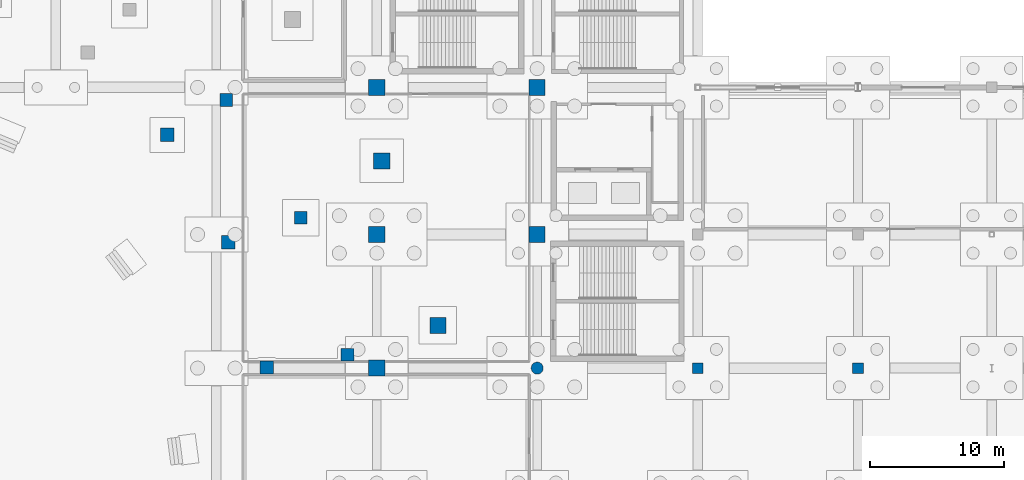
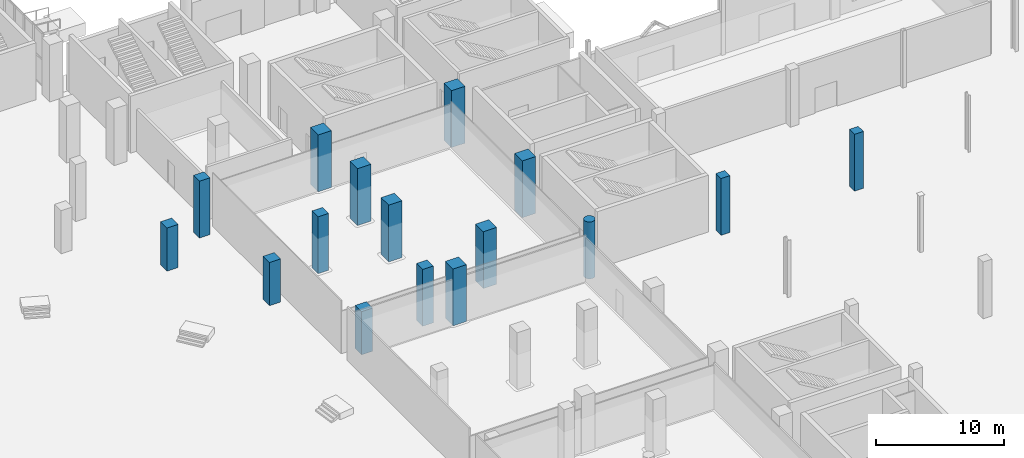
# One storey, part 26 of 70: 16 columns.
"""IFC4 building model written with IfcOpenShell, lengths in metres."""

from ifc_helpers import new_model, si_unit, direction, frame, origin, origin_2d, place, context, subcontext, project, spatial, rectangle, circle, extrude, material, material_profile, profile_set, type_object, element, save


model = new_model("IFC4")

# Units and contexts
model_context = context("Model", 3, precision=1e-05, world=origin(), true_north=direction((0.0, 1.0)))
body_context = subcontext(model_context, "Body", "Model", "MODEL_VIEW")
ifc_project = project(units=[si_unit("LENGTHUNIT", "METRE"), si_unit("AREAUNIT", "SQUARE_METRE"), si_unit("VOLUMEUNIT", "CUBIC_METRE"), si_unit("PLANEANGLEUNIT", "RADIAN"), si_unit("MASSUNIT", "GRAM", prefix="KILO")], contexts=[model_context])

# Site, building, storey
site_placement = place(None, origin())
site = spatial("IfcSite", under=ifc_project, at=site_placement, CompositionType="ELEMENT")
building_placement = place(site_placement, origin())
building = spatial("IfcBuilding", under=site, at=building_placement, Name="Brinegate Civic Arena", CompositionType="ELEMENT")
storey_placement = place(building_placement, origin())
storey = spatial("IfcBuildingStorey", under=building, at=storey_placement, Name="L00", CompositionType="ELEMENT", Elevation=0.0)

# Columns
ifc_material = material(Name="Concrete C50/60", Category="concrete")
ifc_material_profile_1 = material_profile(ifc_material, rectangle(XDim=1.199951171875, YDim=1.199951171875, at=origin_2d()), Name="RC1200X1200")
ifc_profile_set_1 = profile_set([ifc_material_profile_1], Name="Concrete C50/60")
column_type_1 = type_object("IfcColumnType", Name="COL-CC01-1200", PredefinedType="COLUMN", material=ifc_profile_set_1)
for number, where, z_axis, x_axis, name in (
    (1, (144.0, 72.0, 0.0), (0.0, 0.0, 1.0), (1.0, 0.0, 0.0), "Column COL-L00-13-H"),
    (2, (144.0, 82.0, 0.0), (0.0, 0.0, 1.0), (1.0, 0.0, 0.0), "Column COL-L00-13-J"),
    (3, (144.0, 93.0, 0.0), (0.0, 0.0, 1.0), (1.0, 0.0, 0.0), "Column COL-L00-13-K"),
    (4, (156.0, 82.0, 0.0), (0.0, 0.0, 1.0), (1.0, 0.0, 0.0), "Column COL-L00-14-J"),
    (5, (156.0, 93.0, 0.0), (0.0, 0.0, 1.0), (1.0, 0.0, 0.0), "Column COL-L00-14-K"),
    (6, (148.569091796875, 75.199951171875, 0.0), (0.0, 0.0, 1.0), (1.0, 0.0, 0.0), "Bowl Raker Column OUT-02-L00"),
    (7, (144.373046875, 87.5, 0.0), (0.0, 0.0, 1.0), (1.0, 0.0, 0.0), "Bowl Raker Column OUT-03-L00"),
):
    element("IfcColumn", number, at=place(storey_placement, frame(where, z_axis=z_axis, x_axis=x_axis)), inside=storey, type_object=column_type_1, Name=name, PredefinedType="COLUMN", context=body_context, shape_type="SweptSolid", body=[
        extrude(rectangle(XDim=1.199951171875, YDim=1.199951171875, at=origin_2d()), origin(), (0.0, 0.0, 1.0), 5.39990234375),
    ])
ifc_material_profile_2 = material_profile(ifc_material, rectangle(XDim=1.0, YDim=1.0, at=origin_2d()), Name="RC1000X1000")
ifc_profile_set_2 = profile_set([ifc_material_profile_2], Name="Concrete C50/60")
column_type_2 = type_object("IfcColumnType", Name="COL-CC03-1000", PredefinedType="COLUMN", material=ifc_profile_set_2)
for number, where, z_axis, x_axis, name in (
    (8, (135.77001953125, 72.044921875, 0.0), (0.0, 0.0, 1.0), (1.0, 0.0, 0.0), "Bowl Raker Column MID-02"),
    (9, (132.89794921875, 81.406005859375, 0.0), (0.0, 0.0, 1.0), (1.0, 0.0, 0.0), "Bowl Raker Column MID-03"),
    (10, (128.3291015625, 89.444091796875, 0.0), (0.0, 0.0, 1.0), (1.0, 0.0, 0.0), "Bowl Raker Column MID-04"),
):
    element("IfcColumn", number, at=place(storey_placement, frame(where, z_axis=z_axis, x_axis=x_axis)), inside=storey, type_object=column_type_2, Name=name, PredefinedType="COLUMN", context=body_context, shape_type="SweptSolid", body=[
        extrude(rectangle(XDim=1.0, YDim=1.0, at=origin_2d()), origin(), (0.0, 0.0, 1.0), 4.10009765625),
    ])
ifc_material_profile_3 = material_profile(ifc_material, rectangle(XDim=0.949951171875, YDim=0.949951171875, at=origin_2d()), Name="RC950X950")
ifc_profile_set_3 = profile_set([ifc_material_profile_3], Name="Concrete C50/60")
column_type_3 = type_object("IfcColumnType", Name="COL-CC04-950", PredefinedType="COLUMN", material=ifc_profile_set_3)
for number, where, z_axis, x_axis, name in (
    (11, (141.806884765625, 73.0, 0.0), (0.0, 0.0, 1.0), (1.0, 0.0, 0.0), "Upper Raker Inner Column UIN-02-L00"),
    (12, (138.31103515625, 83.25, 0.0), (0.0, 0.0, 1.0), (1.0, 0.0, 0.0), "Upper Raker Inner Column UIN-03-L00"),
    (13, (132.7490234375, 92.052001953125, 0.0), (0.0, 0.0, 1.0), (1.0, 0.0, 0.0), "Upper Raker Inner Column UIN-04-L00"),
):
    element("IfcColumn", number, at=place(storey_placement, frame(where, z_axis=z_axis, x_axis=x_axis)), inside=storey, type_object=column_type_3, Name=name, PredefinedType="COLUMN", context=body_context, shape_type="SweptSolid", body=[
        extrude(rectangle(XDim=0.949951171875, YDim=0.949951171875, at=origin_2d()), origin(), (0.0, 0.0, 1.0), 5.39990234375),
    ])
ifc_material_profile_4 = material_profile(ifc_material, rectangle(XDim=0.800048828125, YDim=0.800048828125, at=origin_2d()), Name="RC800X800")
ifc_profile_set_4 = profile_set([ifc_material_profile_4], Name="Concrete C50/60")
column_type_4 = type_object("IfcColumnType", Name="COL-CC07-800", PredefinedType="COLUMN", material=ifc_profile_set_4)
for number, where, z_axis, x_axis, name in (
    (14, (168.0, 72.0, 0.0), (0.0, 0.0, 1.0), (1.0, 0.0, 0.0), "Column COL-L00-15-H"),
    (15, (180.0, 72.0, 0.0), (0.0, 0.0, 1.0), (1.0, 0.0, 0.0), "Column COL-L00-16-H"),
):
    element("IfcColumn", number, at=place(storey_placement, frame(where, z_axis=z_axis, x_axis=x_axis)), inside=storey, type_object=column_type_4, Name=name, PredefinedType="COLUMN", context=body_context, shape_type="SweptSolid", body=[
        extrude(rectangle(XDim=0.800048828125, YDim=0.800048828125, at=origin_2d()), origin(), (0.0, 0.0, 1.0), 5.39990234375),
    ])
ifc_material_profile_5 = material_profile(ifc_material, circle(Radius=0.449951171875, at=origin_2d()), Name="RCD900")
ifc_profile_set_5 = profile_set([ifc_material_profile_5], Name="Concrete C50/60")
column_type_5 = type_object("IfcColumnType", Name="COL-CC12-D900", PredefinedType="COLUMN", material=ifc_profile_set_5)
column_placement = place(storey_placement, frame((156.0, 72.0, 0.0), z_axis=(0.0, 0.0, 1.0), x_axis=(1.0, 0.0, 0.0)))
element("IfcColumn", 16, at=column_placement, inside=storey, type_object=column_type_5, Name="Column COL-L00-14-H", PredefinedType="COLUMN", context=body_context, shape_type="SweptSolid", body=[
    extrude(circle(Radius=0.449951171875, at=origin_2d()), origin(), (0.0, 0.0, 1.0), 5.39990234375),
])

save(model, "model.ifc")
